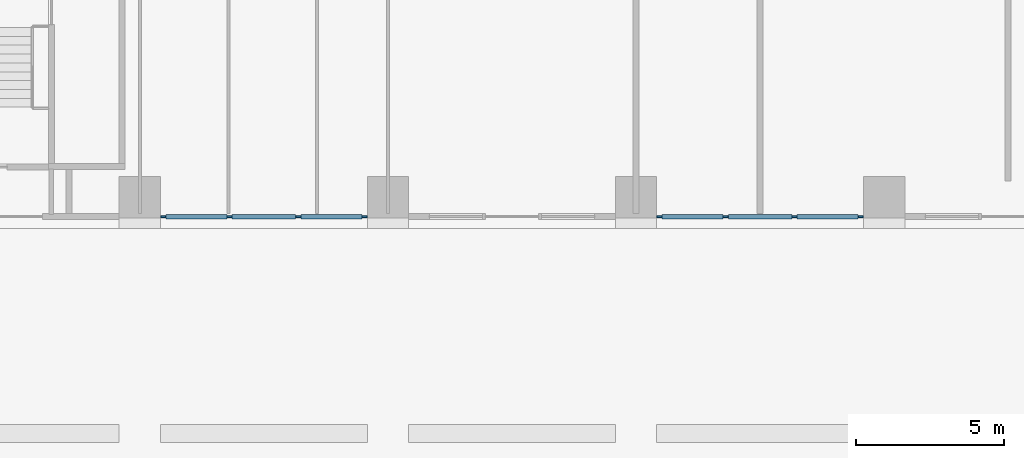
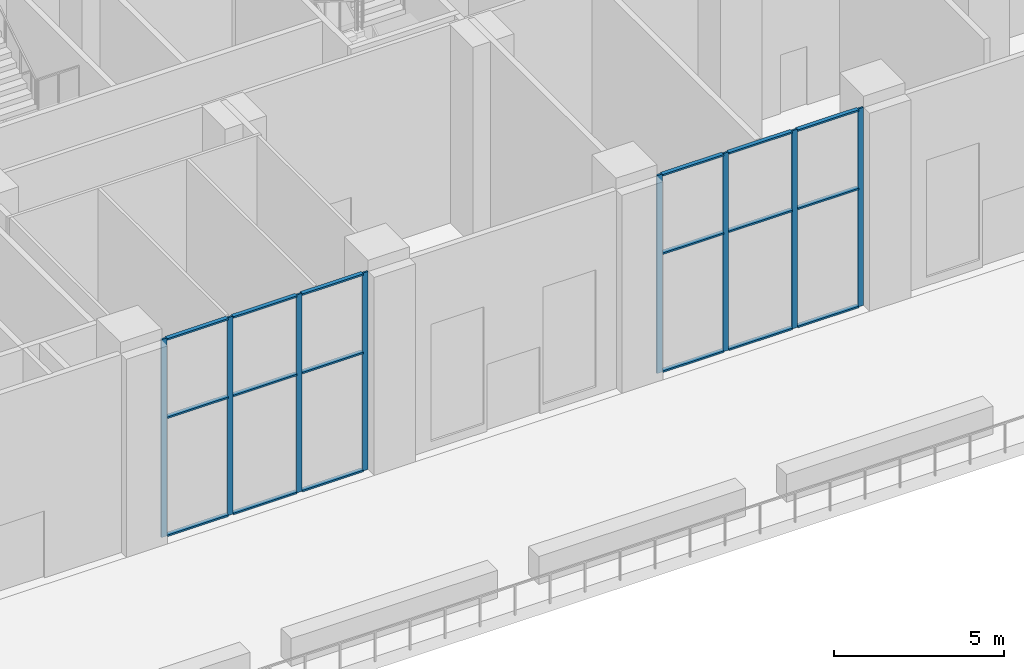
# One storey, part 5 of 53: 26 members, 2 elements without a shape of their own.
"""IFC4 building model written with IfcOpenShell, lengths in metres."""

from ifc_helpers import new_model, si_unit, direction, frame, origin, origin_2d, place, context, subcontext, project, spatial, rectangle, extrude, material, material_profile, profile_set, type_object, element, aggregate, save


model = new_model("IFC4")

# Units and contexts
model_context = context("Model", 3, precision=1e-05, world=origin(), true_north=direction((0.0, 1.0)))
body_context = subcontext(model_context, "Body", "Model", "MODEL_VIEW")
ifc_project = project(units=[si_unit("LENGTHUNIT", "METRE"), si_unit("AREAUNIT", "SQUARE_METRE"), si_unit("VOLUMEUNIT", "CUBIC_METRE"), si_unit("PLANEANGLEUNIT", "RADIAN"), si_unit("MASSUNIT", "GRAM", prefix="KILO")], contexts=[model_context])

# Site, building, storey
site_placement = place(None, origin())
site = spatial("IfcSite", under=ifc_project, at=site_placement, CompositionType="ELEMENT")
building_placement = place(site_placement, origin())
building = spatial("IfcBuilding", under=site, at=building_placement, Name="Vermilion Ogive Tower", CompositionType="ELEMENT")
storey_placement = place(building_placement, origin())
storey = spatial("IfcBuildingStorey", under=building, at=storey_placement, Name="L00", CompositionType="ELEMENT", Elevation=0.0)

# Curtain wall, members
ifc_material_1 = material(Name="Clear double glazing in aluminium frame", Category="aluminium")
curtain_wall_type = type_object("IfcCurtainWallType", Name="Curtain wall CW1", PredefinedType="NOTDEFINED", material=ifc_material_1)
curtain_wall_1_placement = place(storey_placement, origin())
curtain_wall_1 = element("IfcCurtainWall", 1, at=curtain_wall_1_placement, inside=storey, type_object=curtain_wall_type, Name="CW1 shopfront glazing S2", PredefinedType="NOTDEFINED")
ifc_material_2 = material(Name="Aluminium mullion", Category="aluminium")
ifc_material_profile_1 = material_profile(ifc_material_2, rectangle(XDim=0.06005859375, YDim=0.179931640625, at=origin_2d()), Name="AL 60x180")
ifc_profile_set_1 = profile_set([ifc_material_profile_1], Name="Aluminium mullion")
member_type_1 = type_object("IfcMemberType", Name="CW1 mullion 60x180", PredefinedType="MULLION", material=ifc_profile_set_1)
member_1_placement = place(storey_placement, frame((-24.409912109375, -30.06005859375, 0.0), z_axis=(0.0, 0.0, 1.0), x_axis=(0.0, 1.0, 0.0)))
member_1 = element("IfcMember", 2, at=member_1_placement, type_object=member_type_1, Name="CW1-S2 mullion 1", PredefinedType="MULLION", context=body_context, shape_type="SweptSolid", body=[
    extrude(rectangle(XDim=0.06005859375, YDim=0.179931640625, at=origin_2d()), origin(), (0.0, 0.0, 1.0), 7.10009765625),
])
member_2_placement = place(storey_placement, frame((-22.166748046875, -30.06005859375, 0.0), z_axis=(0.0, 0.0, 1.0), x_axis=(0.0, 1.0, 0.0)))
member_2 = element("IfcMember", 3, at=member_2_placement, type_object=member_type_1, Name="CW1-S2 mullion 2", PredefinedType="MULLION", context=body_context, shape_type="SweptSolid", body=[
    extrude(rectangle(XDim=0.06005859375, YDim=0.179931640625, at=origin_2d()), origin(), (0.0, 0.0, 1.0), 7.10009765625),
])
member_3_placement = place(storey_placement, frame((-19.833251953125, -30.06005859375, 0.0), z_axis=(0.0, 0.0, 1.0), x_axis=(0.0, 1.0, 0.0)))
member_3 = element("IfcMember", 4, at=member_3_placement, type_object=member_type_1, Name="CW1-S2 mullion 3", PredefinedType="MULLION", context=body_context, shape_type="SweptSolid", body=[
    extrude(rectangle(XDim=0.06005859375, YDim=0.179931640625, at=origin_2d()), origin(), (0.0, 0.0, 1.0), 7.10009765625),
])
member_4_placement = place(storey_placement, frame((-17.590087890625, -30.06005859375, 0.0), z_axis=(0.0, 0.0, 1.0), x_axis=(0.0, 1.0, 0.0)))
member_4 = element("IfcMember", 5, at=member_4_placement, type_object=member_type_1, Name="CW1-S2 mullion 4", PredefinedType="MULLION", context=body_context, shape_type="SweptSolid", body=[
    extrude(rectangle(XDim=0.06005859375, YDim=0.179931640625, at=origin_2d()), origin(), (0.0, 0.0, 1.0), 7.10009765625),
])

curtain_wall_2_placement = place(storey_placement, origin())
curtain_wall_2 = element("IfcCurtainWall", 6, at=curtain_wall_2_placement, inside=storey, type_object=curtain_wall_type, Name="CW1 shopfront glazing S4", PredefinedType="NOTDEFINED")
member_5_placement = place(storey_placement, frame((-7.610107421875, -30.06005859375, 0.0), z_axis=(0.0, 0.0, 1.0), x_axis=(0.0, 1.0, 0.0)))
member_5 = element("IfcMember", 7, at=member_5_placement, type_object=member_type_1, Name="CW1-S4 mullion 1", PredefinedType="MULLION", context=body_context, shape_type="SweptSolid", body=[
    extrude(rectangle(XDim=0.06005859375, YDim=0.179931640625, at=origin_2d()), origin(), (0.0, 0.0, 1.0), 7.10009765625),
])
member_6_placement = place(storey_placement, frame((-5.36669921875, -30.06005859375, 0.0), z_axis=(0.0, 0.0, 1.0), x_axis=(0.0, 1.0, 0.0)))
member_6 = element("IfcMember", 8, at=member_6_placement, type_object=member_type_1, Name="CW1-S4 mullion 2", PredefinedType="MULLION", context=body_context, shape_type="SweptSolid", body=[
    extrude(rectangle(XDim=0.06005859375, YDim=0.179931640625, at=origin_2d()), origin(), (0.0, 0.0, 1.0), 7.10009765625),
])
member_7_placement = place(storey_placement, frame((-3.033447265625, -30.06005859375, 0.0), z_axis=(0.0, 0.0, 1.0), x_axis=(0.0, 1.0, 0.0)))
member_7 = element("IfcMember", 9, at=member_7_placement, type_object=member_type_1, Name="CW1-S4 mullion 3", PredefinedType="MULLION", context=body_context, shape_type="SweptSolid", body=[
    extrude(rectangle(XDim=0.06005859375, YDim=0.179931640625, at=origin_2d()), origin(), (0.0, 0.0, 1.0), 7.10009765625),
])
member_8_placement = place(storey_placement, frame((-0.7900390625, -30.06005859375, 0.0), z_axis=(0.0, 0.0, 1.0), x_axis=(0.0, 1.0, 0.0)))
member_8 = element("IfcMember", 10, at=member_8_placement, type_object=member_type_1, Name="CW1-S4 mullion 4", PredefinedType="MULLION", context=body_context, shape_type="SweptSolid", body=[
    extrude(rectangle(XDim=0.06005859375, YDim=0.179931640625, at=origin_2d()), origin(), (0.0, 0.0, 1.0), 7.10009765625),
])

# Member
ifc_material_3 = material(Name="Aluminium transom", Category="aluminium")
ifc_material_profile_2 = material_profile(ifc_material_3, rectangle(XDim=0.139892578125, YDim=0.06005859375, at=origin_2d()), Name="AL 60x140")
ifc_profile_set_2 = profile_set([ifc_material_profile_2], Name="Aluminium transom")
member_type_2 = type_object("IfcMemberType", Name="CW1 transom 60x140", PredefinedType="USERDEFINED", material=ifc_profile_set_2)
member_9_placement = place(storey_placement, frame((-24.320068359375, -30.06005859375, 0.030029296875), z_axis=(1.0, 0.0, 0.0), x_axis=(0.0, 1.0, 0.0)))
member_9 = element("IfcMember", 11, at=member_9_placement, type_object=member_type_2, Name="CW1-S2 transom 1.1", ObjectType="TRANSOM", PredefinedType="USERDEFINED", context=body_context, shape_type="SweptSolid", body=[
    extrude(rectangle(XDim=0.139892578125, YDim=0.06005859375, at=origin_2d()), origin(), (0.0, 0.0, 1.0), 2.0634765625),
])

member_10_placement = place(storey_placement, frame((-24.320068359375, -30.06005859375, 4.260009765625), z_axis=(1.0, 0.0, 0.0), x_axis=(0.0, 1.0, 0.0)))
member_10 = element("IfcMember", 12, at=member_10_placement, type_object=member_type_2, Name="CW1-S2 transom 1.2", ObjectType="TRANSOM", PredefinedType="USERDEFINED", context=body_context, shape_type="SweptSolid", body=[
    extrude(rectangle(XDim=0.139892578125, YDim=0.06005859375, at=origin_2d()), origin(), (0.0, 0.0, 1.0), 2.0634765625),
])

member_11_placement = place(storey_placement, frame((-24.320068359375, -30.06005859375, 7.070068359375), z_axis=(1.0, 0.0, 0.0), x_axis=(0.0, 1.0, 0.0)))
member_11 = element("IfcMember", 13, at=member_11_placement, type_object=member_type_2, Name="CW1-S2 transom 1.3", ObjectType="TRANSOM", PredefinedType="USERDEFINED", context=body_context, shape_type="SweptSolid", body=[
    extrude(rectangle(XDim=0.139892578125, YDim=0.06005859375, at=origin_2d()), origin(), (0.0, 0.0, 1.0), 2.0634765625),
])

member_12_placement = place(storey_placement, frame((-22.07666015625, -30.06005859375, 0.030029296875), z_axis=(1.0, 0.0, 0.0), x_axis=(0.0, 1.0, 0.0)))
member_12 = element("IfcMember", 14, at=member_12_placement, type_object=member_type_2, Name="CW1-S2 transom 2.1", ObjectType="TRANSOM", PredefinedType="USERDEFINED", context=body_context, shape_type="SweptSolid", body=[
    extrude(rectangle(XDim=0.139892578125, YDim=0.06005859375, at=origin_2d()), origin(), (0.0, 0.0, 1.0), 2.1533203125),
])

member_13_placement = place(storey_placement, frame((-22.07666015625, -30.06005859375, 4.260009765625), z_axis=(1.0, 0.0, 0.0), x_axis=(0.0, 1.0, 0.0)))
member_13 = element("IfcMember", 15, at=member_13_placement, type_object=member_type_2, Name="CW1-S2 transom 2.2", ObjectType="TRANSOM", PredefinedType="USERDEFINED", context=body_context, shape_type="SweptSolid", body=[
    extrude(rectangle(XDim=0.139892578125, YDim=0.06005859375, at=origin_2d()), origin(), (0.0, 0.0, 1.0), 2.1533203125),
])

member_14_placement = place(storey_placement, frame((-22.07666015625, -30.06005859375, 7.070068359375), z_axis=(1.0, 0.0, 0.0), x_axis=(0.0, 1.0, 0.0)))
member_14 = element("IfcMember", 16, at=member_14_placement, type_object=member_type_2, Name="CW1-S2 transom 2.3", ObjectType="TRANSOM", PredefinedType="USERDEFINED", context=body_context, shape_type="SweptSolid", body=[
    extrude(rectangle(XDim=0.139892578125, YDim=0.06005859375, at=origin_2d()), origin(), (0.0, 0.0, 1.0), 2.1533203125),
])

member_15_placement = place(storey_placement, frame((-19.743408203125, -30.06005859375, 0.030029296875), z_axis=(1.0, 0.0, 0.0), x_axis=(0.0, 1.0, 0.0)))
member_15 = element("IfcMember", 17, at=member_15_placement, type_object=member_type_2, Name="CW1-S2 transom 3.1", ObjectType="TRANSOM", PredefinedType="USERDEFINED", context=body_context, shape_type="SweptSolid", body=[
    extrude(rectangle(XDim=0.139892578125, YDim=0.06005859375, at=origin_2d()), origin(), (0.0, 0.0, 1.0), 2.0634765625),
])

member_16_placement = place(storey_placement, frame((-19.743408203125, -30.06005859375, 4.260009765625), z_axis=(1.0, 0.0, 0.0), x_axis=(0.0, 1.0, 0.0)))
member_16 = element("IfcMember", 18, at=member_16_placement, type_object=member_type_2, Name="CW1-S2 transom 3.2", ObjectType="TRANSOM", PredefinedType="USERDEFINED", context=body_context, shape_type="SweptSolid", body=[
    extrude(rectangle(XDim=0.139892578125, YDim=0.06005859375, at=origin_2d()), origin(), (0.0, 0.0, 1.0), 2.0634765625),
])

member_17_placement = place(storey_placement, frame((-19.743408203125, -30.06005859375, 7.070068359375), z_axis=(1.0, 0.0, 0.0), x_axis=(0.0, 1.0, 0.0)))
member_17 = element("IfcMember", 19, at=member_17_placement, type_object=member_type_2, Name="CW1-S2 transom 3.3", ObjectType="TRANSOM", PredefinedType="USERDEFINED", context=body_context, shape_type="SweptSolid", body=[
    extrude(rectangle(XDim=0.139892578125, YDim=0.06005859375, at=origin_2d()), origin(), (0.0, 0.0, 1.0), 2.0634765625),
])

aggregate(curtain_wall_1, [member_1, member_2, member_3, member_4, member_9, member_10, member_11, member_12, member_13, member_14, member_15, member_16, member_17])

member_18_placement = place(storey_placement, frame((-7.52001953125, -30.06005859375, 0.030029296875), z_axis=(1.0, 0.0, 0.0), x_axis=(0.0, 1.0, 0.0)))
member_18 = element("IfcMember", 20, at=member_18_placement, type_object=member_type_2, Name="CW1-S4 transom 1.1", ObjectType="TRANSOM", PredefinedType="USERDEFINED", context=body_context, shape_type="SweptSolid", body=[
    extrude(rectangle(XDim=0.139892578125, YDim=0.06005859375, at=origin_2d()), origin(), (0.0, 0.0, 1.0), 2.063232421875),
])

member_19_placement = place(storey_placement, frame((-7.52001953125, -30.06005859375, 4.260009765625), z_axis=(1.0, 0.0, 0.0), x_axis=(0.0, 1.0, 0.0)))
member_19 = element("IfcMember", 21, at=member_19_placement, type_object=member_type_2, Name="CW1-S4 transom 1.2", ObjectType="TRANSOM", PredefinedType="USERDEFINED", context=body_context, shape_type="SweptSolid", body=[
    extrude(rectangle(XDim=0.139892578125, YDim=0.06005859375, at=origin_2d()), origin(), (0.0, 0.0, 1.0), 2.063232421875),
])

member_20_placement = place(storey_placement, frame((-7.52001953125, -30.06005859375, 7.070068359375), z_axis=(1.0, 0.0, 0.0), x_axis=(0.0, 1.0, 0.0)))
member_20 = element("IfcMember", 22, at=member_20_placement, type_object=member_type_2, Name="CW1-S4 transom 1.3", ObjectType="TRANSOM", PredefinedType="USERDEFINED", context=body_context, shape_type="SweptSolid", body=[
    extrude(rectangle(XDim=0.139892578125, YDim=0.06005859375, at=origin_2d()), origin(), (0.0, 0.0, 1.0), 2.063232421875),
])

member_21_placement = place(storey_placement, frame((-5.276611328125, -30.06005859375, 0.030029296875), z_axis=(1.0, 0.0, 0.0), x_axis=(0.0, 1.0, 0.0)))
member_21 = element("IfcMember", 23, at=member_21_placement, type_object=member_type_2, Name="CW1-S4 transom 2.1", ObjectType="TRANSOM", PredefinedType="USERDEFINED", context=body_context, shape_type="SweptSolid", body=[
    extrude(rectangle(XDim=0.139892578125, YDim=0.06005859375, at=origin_2d()), origin(), (0.0, 0.0, 1.0), 2.1533203125),
])

member_22_placement = place(storey_placement, frame((-5.276611328125, -30.06005859375, 4.260009765625), z_axis=(1.0, 0.0, 0.0), x_axis=(0.0, 1.0, 0.0)))
member_22 = element("IfcMember", 24, at=member_22_placement, type_object=member_type_2, Name="CW1-S4 transom 2.2", ObjectType="TRANSOM", PredefinedType="USERDEFINED", context=body_context, shape_type="SweptSolid", body=[
    extrude(rectangle(XDim=0.139892578125, YDim=0.06005859375, at=origin_2d()), origin(), (0.0, 0.0, 1.0), 2.1533203125),
])

member_23_placement = place(storey_placement, frame((-5.276611328125, -30.06005859375, 7.070068359375), z_axis=(1.0, 0.0, 0.0), x_axis=(0.0, 1.0, 0.0)))
member_23 = element("IfcMember", 25, at=member_23_placement, type_object=member_type_2, Name="CW1-S4 transom 2.3", ObjectType="TRANSOM", PredefinedType="USERDEFINED", context=body_context, shape_type="SweptSolid", body=[
    extrude(rectangle(XDim=0.139892578125, YDim=0.06005859375, at=origin_2d()), origin(), (0.0, 0.0, 1.0), 2.1533203125),
])

member_24_placement = place(storey_placement, frame((-2.943359375, -30.06005859375, 0.030029296875), z_axis=(1.0, 0.0, 0.0), x_axis=(0.0, 1.0, 0.0)))
member_24 = element("IfcMember", 26, at=member_24_placement, type_object=member_type_2, Name="CW1-S4 transom 3.1", ObjectType="TRANSOM", PredefinedType="USERDEFINED", context=body_context, shape_type="SweptSolid", body=[
    extrude(rectangle(XDim=0.139892578125, YDim=0.06005859375, at=origin_2d()), origin(), (0.0, 0.0, 1.0), 2.0634765625),
])

member_25_placement = place(storey_placement, frame((-2.943359375, -30.06005859375, 4.260009765625), z_axis=(1.0, 0.0, 0.0), x_axis=(0.0, 1.0, 0.0)))
member_25 = element("IfcMember", 27, at=member_25_placement, type_object=member_type_2, Name="CW1-S4 transom 3.2", ObjectType="TRANSOM", PredefinedType="USERDEFINED", context=body_context, shape_type="SweptSolid", body=[
    extrude(rectangle(XDim=0.139892578125, YDim=0.06005859375, at=origin_2d()), origin(), (0.0, 0.0, 1.0), 2.0634765625),
])

member_26_placement = place(storey_placement, frame((-2.943359375, -30.06005859375, 7.070068359375), z_axis=(1.0, 0.0, 0.0), x_axis=(0.0, 1.0, 0.0)))
member_26 = element("IfcMember", 28, at=member_26_placement, type_object=member_type_2, Name="CW1-S4 transom 3.3", ObjectType="TRANSOM", PredefinedType="USERDEFINED", context=body_context, shape_type="SweptSolid", body=[
    extrude(rectangle(XDim=0.139892578125, YDim=0.06005859375, at=origin_2d()), origin(), (0.0, 0.0, 1.0), 2.0634765625),
])

aggregate(curtain_wall_2, [member_5, member_6, member_7, member_8, member_18, member_19, member_20, member_21, member_22, member_23, member_24, member_25, member_26])

save(model, "model.ifc")
